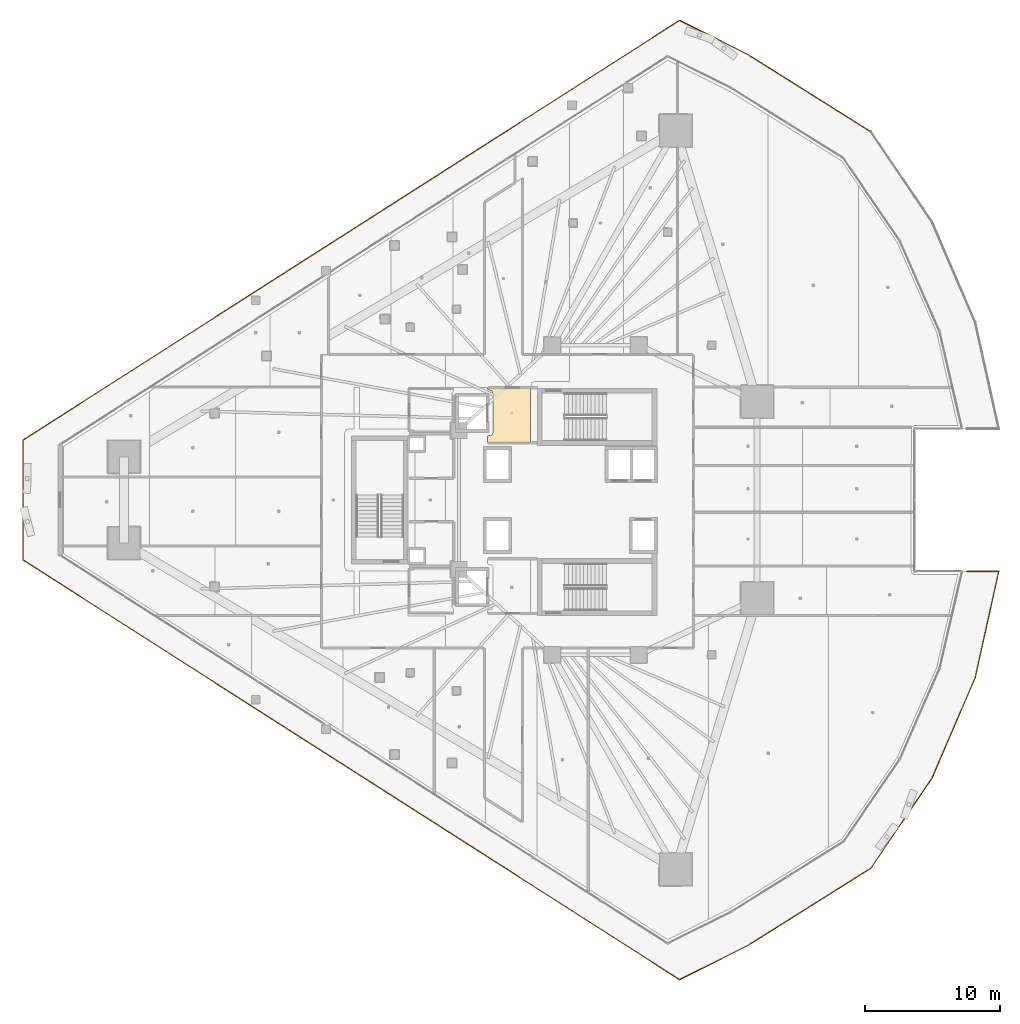
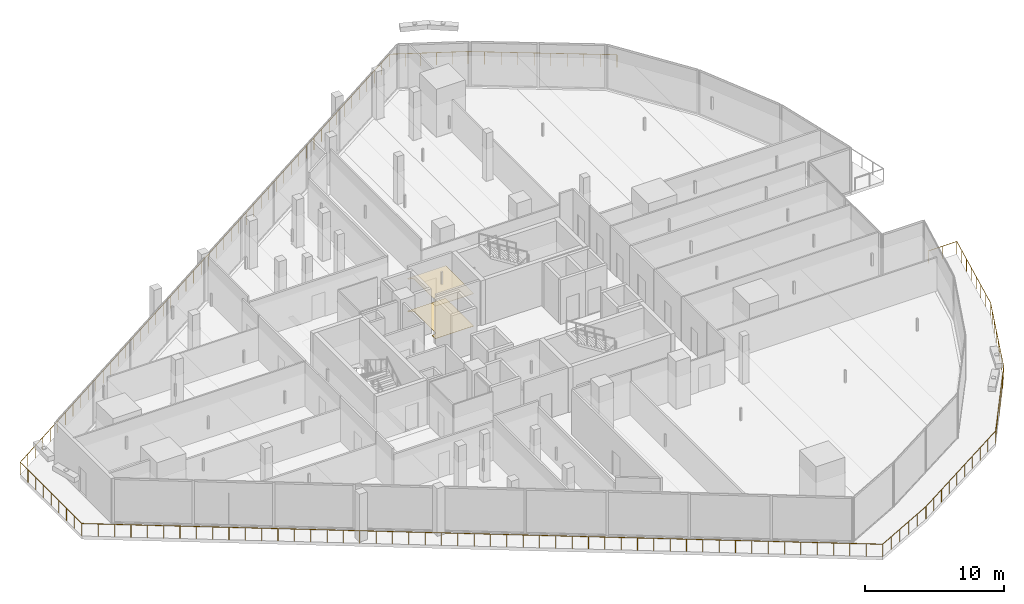
# One storey, part 42 of 44: 2 coverings, 1 railing.
"""IFC4 building model written with IfcOpenShell, lengths in metres."""

from ifc_helpers import new_model, si_unit, direction, frame, origin, origin_2d, place, context, subcontext, project, spatial, polyline, circle, outline, extrude, material, layer, layer_set, type_object, element, save


model = new_model("IFC4")

# Units and contexts
model_context = context("Model", 3, precision=1e-05, world=origin(), true_north=direction((0.0, 1.0)))
body_context = subcontext(model_context, "Body", "Model", "MODEL_VIEW")
ifc_project = project(units=[si_unit("LENGTHUNIT", "METRE"), si_unit("AREAUNIT", "SQUARE_METRE"), si_unit("VOLUMEUNIT", "CUBIC_METRE"), si_unit("PLANEANGLEUNIT", "RADIAN"), si_unit("MASSUNIT", "GRAM", prefix="KILO")], contexts=[model_context])

# Site, building, storey
site_placement = place(None, origin())
site = spatial("IfcSite", under=ifc_project, at=site_placement, CompositionType="ELEMENT")
building_placement = place(site_placement, origin())
building = spatial("IfcBuilding", under=site, at=building_placement, Name="Qorvath Tower", CompositionType="ELEMENT")
storey_placement = place(building_placement, frame((0.0, 0.0, 57.60009765625)))
storey = spatial("IfcBuildingStorey", under=building, at=storey_placement, Name="L12", CompositionType="ELEMENT", Elevation=57.60009765625)

# Coverings
ifc_material_1 = material(Name="Acoustic mineral fibre ceiling tile", Category="gypsum")
ifc_layer_1 = layer(ifc_material_1, 0.030029296875)
ifc_layer_set_1 = layer_set([ifc_layer_1], Name="COV-CEIL")
covering_type_1 = type_object("IfcCoveringType", Name="COV-CEIL", PredefinedType="CEILING", material=ifc_layer_set_1)
covering_1_placement = place(storey_placement, frame((0.0, 0.0, 2.849853515625)))
element("IfcCovering", 1, at=covering_1_placement, inside=storey, type_object=covering_type_1, Name="L12 Suspended Acoustic Ceiling 001", PredefinedType="CEILING", context=body_context, shape_type="SweptSolid", body=[
    extrude(outline(polyline([(-25.18994140625, 4.2548828125), (-25.18994140625, 8.294921875), (-28.375, 8.294921875), (-28.375, 8.159912109375), (-28.063232421875, 8.086669921875), (-27.989990234375, 7.909912109375), (-27.989990234375, 4.989990234375), (-28.063232421875, 4.813232421875), (-28.375, 4.739990234375), (-28.375, 4.2548828125), (-25.18994140625, 4.2548828125)])), origin(), (0.0, 0.0, 1.0), 0.030029296875),
])
ifc_material_2 = material(Name="Polished epoxy terrazzo flooring", Category="concrete")
ifc_layer_2 = layer(ifc_material_2, 0.02001953125)
ifc_layer_set_2 = layer_set([ifc_layer_2], Name="COV-FLOOR-TRZ")
covering_type_2 = type_object("IfcCoveringType", Name="COV-FLOOR-TRZ", PredefinedType="FLOORING", material=ifc_layer_set_2)
covering_2_placement = place(storey_placement, origin())
element("IfcCovering", 2, at=covering_2_placement, inside=storey, type_object=covering_type_2, Name="L12 Floor Finish 001", PredefinedType="FLOORING", context=body_context, shape_type="SweptSolid", body=[
    extrude(outline(polyline([(-25.18994140625, 4.2548828125), (-25.18994140625, 8.294921875), (-28.375, 8.294921875), (-28.375, 8.159912109375), (-28.063232421875, 8.086669921875), (-27.989990234375, 7.909912109375), (-27.989990234375, 4.989990234375), (-28.063232421875, 4.813232421875), (-28.375, 4.739990234375), (-28.375, 4.2548828125), (-25.18994140625, 4.2548828125)])), origin(), (0.0, 0.0, 1.0), 0.014892578125),
])

# Railing
ifc_material_3 = material(Name="Laminated safety glass and stainless steel AISI 316", Category="steel")
railing_type = type_object("IfcRailingType", Name="RL-EXT-GRD", PredefinedType="GUARDRAIL", material=ifc_material_3)
railing_placement = place(storey_placement, frame((7.082763671875, -5.2705078125, 0.0)))
element("IfcRailing", 3, at=railing_placement, inside=storey, type_object=railing_type, Name="Loggia Perimeter Guardrail L12-1.2", PredefinedType="GUARDRAIL", context=body_context, shape_type="SweptSolid", body=[
    extrude(circle(Radius=0.02392578125, at=origin_2d()), frame((0.0, 0.0, 1.09619140625), z_axis=(1.0, 0.0, 0.0), x_axis=(0.0, 1.0, 0.0)), (0.0, 0.0, 1.0), 2.3662109375),
    extrude(circle(Radius=0.02392578125, at=origin_2d()), frame((2.3662109375, 0.0, 1.09619140625), z_axis=(-0.216081573527, -0.976375313894, 0.0), x_axis=(0.976375313894, -0.216081573527, 0.0)), (0.0, 0.0, 1.0), 8.070556640625),
    extrude(circle(Radius=0.02392578125, at=origin_2d()), frame((0.622314453125, -7.8798828125, 1.09619140625), z_axis=(-0.395495920644, -0.918467733104, 0.0), x_axis=(0.918467733104, -0.395495920644, 0.0)), (0.0, 0.0, 1.0), 8.070556640625),
    extrude(circle(Radius=0.02392578125, at=origin_2d()), frame((-2.569580078125, -15.29248046875, 1.09619140625), z_axis=(-0.56080734348, -0.827946328876, 0.0), x_axis=(0.827946328876, -0.56080734348, 0.0)), (0.0, 0.0, 1.0), 8.07080078125),
    extrude(circle(Radius=0.02392578125, at=origin_2d()), frame((-7.095703125, -21.974609375, 1.09619140625), z_axis=(-0.846497130673, -0.53239328298, 0.0), x_axis=(0.53239328298, -0.846497130673, 0.0)), (0.0, 0.0, 1.0), 10.732421875),
    extrude(circle(Radius=0.02392578125, at=origin_2d()), frame((-16.1806640625, -27.6884765625, 1.09619140625), z_axis=(-0.894444416035, -0.44717914377, 0.0), x_axis=(0.44717914377, -0.894444416035, 0.0)), (0.0, 0.0, 1.0), 5.669189453125),
    extrude(circle(Radius=0.02392578125, at=origin_2d()), frame((-21.25146484375, -30.2236328125, 1.09619140625), z_axis=(-0.842604374981, 0.538533069794, 0.0), x_axis=(-0.538533069794, -0.842604374981, 0.0)), (0.0, 0.0, 1.0), 57.67041015625),
    extrude(circle(Radius=0.02392578125, at=origin_2d()), frame((-69.8447265625, 0.833740234375, 1.09619140625), z_axis=(0.0, 1.0, 0.0), x_axis=(-1.0, 0.0, 0.0)), (0.0, 0.0, 1.0), 8.87353515625),
    extrude(circle(Radius=0.02392578125, at=origin_2d()), frame((-69.8447265625, 9.707275390625, 1.09619140625), z_axis=(0.842604374981, 0.538533069794, 0.0), x_axis=(-0.538533069794, 0.842604374981, 0.0)), (0.0, 0.0, 1.0), 57.67041015625),
    extrude(circle(Radius=0.02392578125, at=origin_2d()), frame((-21.25146484375, 40.7646484375, 1.09619140625), z_axis=(0.894444416035, -0.44717914377, 0.0), x_axis=(0.44717914377, 0.894444416035, 0.0)), (0.0, 0.0, 1.0), 5.669189453125),
    extrude(circle(Radius=0.02392578125, at=origin_2d()), frame((-16.1806640625, 38.2294921875, 1.09619140625), z_axis=(0.846497130673, -0.53239328298, 0.0), x_axis=(0.53239328298, 0.846497130673, 0.0)), (0.0, 0.0, 1.0), 10.732421875),
    extrude(circle(Radius=0.02099609375, at=origin_2d()), origin(), (0.0, 0.0, 1.0), 1.072021484375),
    extrude(circle(Radius=0.02099609375, at=origin_2d()), frame((1.18310546875, 0.0, 0.0)), (0.0, 0.0, 1.0), 1.072021484375),
    extrude(circle(Radius=0.02099609375, at=origin_2d()), frame((2.3662109375, 0.0, 0.0)), (0.0, 0.0, 1.0), 1.072021484375),
    extrude(circle(Radius=0.02099609375, at=origin_2d()), frame((2.1171875, -1.125732421875, 0.0)), (0.0, 0.0, 1.0), 1.072021484375),
    extrude(circle(Radius=0.02099609375, at=origin_2d()), frame((1.867919921875, -2.25146484375, 0.0)), (0.0, 0.0, 1.0), 1.072021484375),
    extrude(circle(Radius=0.02099609375, at=origin_2d()), frame((1.618896484375, -3.377197265625, 0.0)), (0.0, 0.0, 1.0), 1.072021484375),
    extrude(circle(Radius=0.02099609375, at=origin_2d()), frame((1.36962890625, -4.502685546875, 0.0)), (0.0, 0.0, 1.0), 1.072021484375),
    extrude(circle(Radius=0.02099609375, at=origin_2d()), frame((1.12060546875, -5.62841796875, 0.0)), (0.0, 0.0, 1.0), 1.072021484375),
    extrude(circle(Radius=0.02099609375, at=origin_2d()), frame((0.871337890625, -6.754150390625, 0.0)), (0.0, 0.0, 1.0), 1.072021484375),
    extrude(circle(Radius=0.02099609375, at=origin_2d()), frame((0.622314453125, -7.8798828125, 0.0)), (0.0, 0.0, 1.0), 1.072021484375),
    extrude(circle(Radius=0.02099609375, at=origin_2d()), frame((0.166259765625, -8.938720703125, 0.0)), (0.0, 0.0, 1.0), 1.072021484375),
    extrude(circle(Radius=0.02099609375, at=origin_2d()), frame((-0.28955078125, -9.997802734375, 0.0)), (0.0, 0.0, 1.0), 1.072021484375),
    extrude(circle(Radius=0.02099609375, at=origin_2d()), frame((-0.74560546875, -11.056640625, 0.0)), (0.0, 0.0, 1.0), 1.072021484375),
    extrude(circle(Radius=0.02099609375, at=origin_2d()), frame((-1.20166015625, -12.11572265625, 0.0)), (0.0, 0.0, 1.0), 1.072021484375),
    extrude(circle(Radius=0.02099609375, at=origin_2d()), frame((-1.65771484375, -13.174560546875, 0.0)), (0.0, 0.0, 1.0), 1.072021484375),
    extrude(circle(Radius=0.02099609375, at=origin_2d()), frame((-2.113525390625, -14.233642578125, 0.0)), (0.0, 0.0, 1.0), 1.072021484375),
    extrude(circle(Radius=0.02099609375, at=origin_2d()), frame((-2.569580078125, -15.29248046875, 0.0)), (0.0, 0.0, 1.0), 1.072021484375),
    extrude(circle(Radius=0.02099609375, at=origin_2d()), frame((-3.216064453125, -16.2470703125, 0.0)), (0.0, 0.0, 1.0), 1.072021484375),
    extrude(circle(Radius=0.02099609375, at=origin_2d()), frame((-3.86279296875, -17.20166015625, 0.0)), (0.0, 0.0, 1.0), 1.072021484375),
    extrude(circle(Radius=0.02099609375, at=origin_2d()), frame((-4.50927734375, -18.15625, 0.0)), (0.0, 0.0, 1.0), 1.072021484375),
    extrude(circle(Radius=0.02099609375, at=origin_2d()), frame((-5.156005859375, -19.11083984375, 0.0)), (0.0, 0.0, 1.0), 1.072021484375),
    extrude(circle(Radius=0.02099609375, at=origin_2d()), frame((-5.802490234375, -20.0654296875, 0.0)), (0.0, 0.0, 1.0), 1.072021484375),
    extrude(circle(Radius=0.02099609375, at=origin_2d()), frame((-6.44921875, -21.02001953125, 0.0)), (0.0, 0.0, 1.0), 1.072021484375),
    extrude(circle(Radius=0.02099609375, at=origin_2d()), frame((-7.095703125, -21.974609375, 0.0)), (0.0, 0.0, 1.0), 1.072021484375),
    extrude(circle(Radius=0.02099609375, at=origin_2d()), frame((-8.105224609375, -22.609375, 0.0)), (0.0, 0.0, 1.0), 1.072021484375),
    extrude(circle(Radius=0.02099609375, at=origin_2d()), frame((-9.114501953125, -23.244384765625, 0.0)), (0.0, 0.0, 1.0), 1.072021484375),
    extrude(circle(Radius=0.02099609375, at=origin_2d()), frame((-10.1240234375, -23.879150390625, 0.0)), (0.0, 0.0, 1.0), 1.072021484375),
    extrude(circle(Radius=0.02099609375, at=origin_2d()), frame((-11.133544921875, -24.51416015625, 0.0)), (0.0, 0.0, 1.0), 1.072021484375),
    extrude(circle(Radius=0.02099609375, at=origin_2d()), frame((-12.142822265625, -25.14892578125, 0.0)), (0.0, 0.0, 1.0), 1.072021484375),
    extrude(circle(Radius=0.02099609375, at=origin_2d()), frame((-13.15234375, -25.783935546875, 0.0)), (0.0, 0.0, 1.0), 1.072021484375),
    extrude(circle(Radius=0.02099609375, at=origin_2d()), frame((-14.161865234375, -26.418701171875, 0.0)), (0.0, 0.0, 1.0), 1.072021484375),
    extrude(circle(Radius=0.02099609375, at=origin_2d()), frame((-15.171142578125, -27.0537109375, 0.0)), (0.0, 0.0, 1.0), 1.072021484375),
    extrude(circle(Radius=0.02099609375, at=origin_2d()), frame((-16.1806640625, -27.6884765625, 0.0)), (0.0, 0.0, 1.0), 1.072021484375),
    extrude(circle(Radius=0.02099609375, at=origin_2d()), frame((-17.19482421875, -28.195556640625, 0.0)), (0.0, 0.0, 1.0), 1.072021484375),
    extrude(circle(Radius=0.02099609375, at=origin_2d()), frame((-18.208984375, -28.70263671875, 0.0)), (0.0, 0.0, 1.0), 1.072021484375),
    extrude(circle(Radius=0.02099609375, at=origin_2d()), frame((-19.22314453125, -29.20947265625, 0.0)), (0.0, 0.0, 1.0), 1.072021484375),
    extrude(circle(Radius=0.02099609375, at=origin_2d()), frame((-20.2373046875, -29.716552734375, 0.0)), (0.0, 0.0, 1.0), 1.072021484375),
    extrude(circle(Radius=0.02099609375, at=origin_2d()), frame((-21.25146484375, -30.2236328125, 0.0)), (0.0, 0.0, 1.0), 1.072021484375),
    extrude(circle(Radius=0.02099609375, at=origin_2d()), frame((-22.2431640625, -29.58984375, 0.0)), (0.0, 0.0, 1.0), 1.072021484375),
    extrude(circle(Radius=0.02099609375, at=origin_2d()), frame((-23.23486328125, -28.9560546875, 0.0)), (0.0, 0.0, 1.0), 1.072021484375),
    extrude(circle(Radius=0.02099609375, at=origin_2d()), frame((-24.2265625, -28.322265625, 0.0)), (0.0, 0.0, 1.0), 1.072021484375),
    extrude(circle(Radius=0.02099609375, at=origin_2d()), frame((-25.21826171875, -27.688232421875, 0.0)), (0.0, 0.0, 1.0), 1.072021484375),
    extrude(circle(Radius=0.02099609375, at=origin_2d()), frame((-26.2099609375, -27.054443359375, 0.0)), (0.0, 0.0, 1.0), 1.072021484375),
    extrude(circle(Radius=0.02099609375, at=origin_2d()), frame((-27.20166015625, -26.420654296875, 0.0)), (0.0, 0.0, 1.0), 1.072021484375),
    extrude(circle(Radius=0.02099609375, at=origin_2d()), frame((-28.193359375, -25.786865234375, 0.0)), (0.0, 0.0, 1.0), 1.072021484375),
    extrude(circle(Radius=0.02099609375, at=origin_2d()), frame((-29.18505859375, -25.153076171875, 0.0)), (0.0, 0.0, 1.0), 1.072021484375),
    extrude(circle(Radius=0.02099609375, at=origin_2d()), frame((-30.1767578125, -24.519287109375, 0.0)), (0.0, 0.0, 1.0), 1.072021484375),
    extrude(circle(Radius=0.02099609375, at=origin_2d()), frame((-31.16845703125, -23.885498046875, 0.0)), (0.0, 0.0, 1.0), 1.072021484375),
    extrude(circle(Radius=0.02099609375, at=origin_2d()), frame((-32.16015625, -23.25146484375, 0.0)), (0.0, 0.0, 1.0), 1.072021484375),
    extrude(circle(Radius=0.02099609375, at=origin_2d()), frame((-33.15185546875, -22.61767578125, 0.0)), (0.0, 0.0, 1.0), 1.072021484375),
    extrude(circle(Radius=0.02099609375, at=origin_2d()), frame((-34.1435546875, -21.98388671875, 0.0)), (0.0, 0.0, 1.0), 1.072021484375),
    extrude(circle(Radius=0.02099609375, at=origin_2d()), frame((-35.13525390625, -21.35009765625, 0.0)), (0.0, 0.0, 1.0), 1.072021484375),
    extrude(circle(Radius=0.02099609375, at=origin_2d()), frame((-36.126953125, -20.71630859375, 0.0)), (0.0, 0.0, 1.0), 1.072021484375),
    extrude(circle(Radius=0.02099609375, at=origin_2d()), frame((-37.11865234375, -20.08251953125, 0.0)), (0.0, 0.0, 1.0), 1.072021484375),
    extrude(circle(Radius=0.02099609375, at=origin_2d()), frame((-38.1103515625, -19.44873046875, 0.0)), (0.0, 0.0, 1.0), 1.072021484375),
    extrude(circle(Radius=0.02099609375, at=origin_2d()), frame((-39.10205078125, -18.814697265625, 0.0)), (0.0, 0.0, 1.0), 1.072021484375),
    extrude(circle(Radius=0.02099609375, at=origin_2d()), frame((-40.09375, -18.180908203125, 0.0)), (0.0, 0.0, 1.0), 1.072021484375),
    extrude(circle(Radius=0.02099609375, at=origin_2d()), frame((-41.08544921875, -17.547119140625, 0.0)), (0.0, 0.0, 1.0), 1.072021484375),
    extrude(circle(Radius=0.02099609375, at=origin_2d()), frame((-42.0771484375, -16.913330078125, 0.0)), (0.0, 0.0, 1.0), 1.072021484375),
    extrude(circle(Radius=0.02099609375, at=origin_2d()), frame((-43.06884765625, -16.279541015625, 0.0)), (0.0, 0.0, 1.0), 1.072021484375),
    extrude(circle(Radius=0.02099609375, at=origin_2d()), frame((-44.060546875, -15.645751953125, 0.0)), (0.0, 0.0, 1.0), 1.072021484375),
    extrude(circle(Radius=0.02099609375, at=origin_2d()), frame((-45.05224609375, -15.011962890625, 0.0)), (0.0, 0.0, 1.0), 1.072021484375),
    extrude(circle(Radius=0.02099609375, at=origin_2d()), frame((-46.0439453125, -14.3779296875, 0.0)), (0.0, 0.0, 1.0), 1.072021484375),
    extrude(circle(Radius=0.02099609375, at=origin_2d()), frame((-47.03564453125, -13.744140625, 0.0)), (0.0, 0.0, 1.0), 1.072021484375),
    extrude(circle(Radius=0.02099609375, at=origin_2d()), frame((-48.02734375, -13.1103515625, 0.0)), (0.0, 0.0, 1.0), 1.072021484375),
    extrude(circle(Radius=0.02099609375, at=origin_2d()), frame((-49.01904296875, -12.4765625, 0.0)), (0.0, 0.0, 1.0), 1.072021484375),
    extrude(circle(Radius=0.02099609375, at=origin_2d()), frame((-50.0107421875, -11.8427734375, 0.0)), (0.0, 0.0, 1.0), 1.072021484375),
    extrude(circle(Radius=0.02099609375, at=origin_2d()), frame((-51.00244140625, -11.208984375, 0.0)), (0.0, 0.0, 1.0), 1.072021484375),
    extrude(circle(Radius=0.02099609375, at=origin_2d()), frame((-51.994140625, -10.5751953125, 0.0)), (0.0, 0.0, 1.0), 1.072021484375),
    extrude(circle(Radius=0.02099609375, at=origin_2d()), frame((-52.98583984375, -9.941162109375, 0.0)), (0.0, 0.0, 1.0), 1.072021484375),
    extrude(circle(Radius=0.02099609375, at=origin_2d()), frame((-53.9775390625, -9.307373046875, 0.0)), (0.0, 0.0, 1.0), 1.072021484375),
    extrude(circle(Radius=0.02099609375, at=origin_2d()), frame((-54.96923828125, -8.673583984375, 0.0)), (0.0, 0.0, 1.0), 1.072021484375),
    extrude(circle(Radius=0.02099609375, at=origin_2d()), frame((-55.9609375, -8.039794921875, 0.0)), (0.0, 0.0, 1.0), 1.072021484375),
    extrude(circle(Radius=0.02099609375, at=origin_2d()), frame((-56.95263671875, -7.406005859375, 0.0)), (0.0, 0.0, 1.0), 1.072021484375),
    extrude(circle(Radius=0.02099609375, at=origin_2d()), frame((-57.9443359375, -6.772216796875, 0.0)), (0.0, 0.0, 1.0), 1.072021484375),
    extrude(circle(Radius=0.02099609375, at=origin_2d()), frame((-58.93603515625, -6.138427734375, 0.0)), (0.0, 0.0, 1.0), 1.072021484375),
    extrude(circle(Radius=0.02099609375, at=origin_2d()), frame((-59.927734375, -5.50439453125, 0.0)), (0.0, 0.0, 1.0), 1.072021484375),
    extrude(circle(Radius=0.02099609375, at=origin_2d()), frame((-60.91943359375, -4.87060546875, 0.0)), (0.0, 0.0, 1.0), 1.072021484375),
    extrude(circle(Radius=0.02099609375, at=origin_2d()), frame((-61.9111328125, -4.23681640625, 0.0)), (0.0, 0.0, 1.0), 1.072021484375),
    extrude(circle(Radius=0.02099609375, at=origin_2d()), frame((-62.90283203125, -3.60302734375, 0.0)), (0.0, 0.0, 1.0), 1.072021484375),
    extrude(circle(Radius=0.02099609375, at=origin_2d()), frame((-63.89453125, -2.96923828125, 0.0)), (0.0, 0.0, 1.0), 1.072021484375),
    extrude(circle(Radius=0.02099609375, at=origin_2d()), frame((-64.88623046875, -2.33544921875, 0.0)), (0.0, 0.0, 1.0), 1.072021484375),
    extrude(circle(Radius=0.02099609375, at=origin_2d()), frame((-65.8779296875, -1.70166015625, 0.0)), (0.0, 0.0, 1.0), 1.072021484375),
    extrude(circle(Radius=0.02099609375, at=origin_2d()), frame((-66.86962890625, -1.067626953125, 0.0)), (0.0, 0.0, 1.0), 1.072021484375),
    extrude(circle(Radius=0.02099609375, at=origin_2d()), frame((-67.861328125, -0.433837890625, 0.0)), (0.0, 0.0, 1.0), 1.072021484375),
    extrude(circle(Radius=0.02099609375, at=origin_2d()), frame((-68.85302734375, 0.199951171875, 0.0)), (0.0, 0.0, 1.0), 1.072021484375),
    extrude(circle(Radius=0.02099609375, at=origin_2d()), frame((-69.8447265625, 0.833740234375, 0.0)), (0.0, 0.0, 1.0), 1.072021484375),
    extrude(circle(Radius=0.02099609375, at=origin_2d()), frame((-69.8447265625, 1.94287109375, 0.0)), (0.0, 0.0, 1.0), 1.072021484375),
    extrude(circle(Radius=0.02099609375, at=origin_2d()), frame((-69.8447265625, 3.05224609375, 0.0)), (0.0, 0.0, 1.0), 1.072021484375),
    extrude(circle(Radius=0.02099609375, at=origin_2d()), frame((-69.8447265625, 4.161376953125, 0.0)), (0.0, 0.0, 1.0), 1.072021484375),
    extrude(circle(Radius=0.02099609375, at=origin_2d()), frame((-69.8447265625, 5.2705078125, 0.0)), (0.0, 0.0, 1.0), 1.072021484375),
    extrude(circle(Radius=0.02099609375, at=origin_2d()), frame((-69.8447265625, 6.379638671875, 0.0)), (0.0, 0.0, 1.0), 1.072021484375),
    extrude(circle(Radius=0.02099609375, at=origin_2d()), frame((-69.8447265625, 7.48876953125, 0.0)), (0.0, 0.0, 1.0), 1.072021484375),
    extrude(circle(Radius=0.02099609375, at=origin_2d()), frame((-69.8447265625, 8.59814453125, 0.0)), (0.0, 0.0, 1.0), 1.072021484375),
    extrude(circle(Radius=0.02099609375, at=origin_2d()), frame((-69.8447265625, 9.707275390625, 0.0)), (0.0, 0.0, 1.0), 1.072021484375),
    extrude(circle(Radius=0.02099609375, at=origin_2d()), frame((-68.85302734375, 10.341064453125, 0.0)), (0.0, 0.0, 1.0), 1.072021484375),
    extrude(circle(Radius=0.02099609375, at=origin_2d()), frame((-67.861328125, 10.974853515625, 0.0)), (0.0, 0.0, 1.0), 1.072021484375),
    extrude(circle(Radius=0.02099609375, at=origin_2d()), frame((-66.86962890625, 11.608642578125, 0.0)), (0.0, 0.0, 1.0), 1.072021484375),
    extrude(circle(Radius=0.02099609375, at=origin_2d()), frame((-65.8779296875, 12.24267578125, 0.0)), (0.0, 0.0, 1.0), 1.072021484375),
    extrude(circle(Radius=0.02099609375, at=origin_2d()), frame((-64.88623046875, 12.87646484375, 0.0)), (0.0, 0.0, 1.0), 1.072021484375),
    extrude(circle(Radius=0.02099609375, at=origin_2d()), frame((-63.89453125, 13.51025390625, 0.0)), (0.0, 0.0, 1.0), 1.072021484375),
    extrude(circle(Radius=0.02099609375, at=origin_2d()), frame((-62.90283203125, 14.14404296875, 0.0)), (0.0, 0.0, 1.0), 1.072021484375),
    extrude(circle(Radius=0.02099609375, at=origin_2d()), frame((-61.9111328125, 14.77783203125, 0.0)), (0.0, 0.0, 1.0), 1.072021484375),
    extrude(circle(Radius=0.02099609375, at=origin_2d()), frame((-60.91943359375, 15.41162109375, 0.0)), (0.0, 0.0, 1.0), 1.072021484375),
    extrude(circle(Radius=0.02099609375, at=origin_2d()), frame((-59.927734375, 16.04541015625, 0.0)), (0.0, 0.0, 1.0), 1.072021484375),
    extrude(circle(Radius=0.02099609375, at=origin_2d()), frame((-58.93603515625, 16.679443359375, 0.0)), (0.0, 0.0, 1.0), 1.072021484375),
    extrude(circle(Radius=0.02099609375, at=origin_2d()), frame((-57.9443359375, 17.313232421875, 0.0)), (0.0, 0.0, 1.0), 1.072021484375),
    extrude(circle(Radius=0.02099609375, at=origin_2d()), frame((-56.95263671875, 17.947021484375, 0.0)), (0.0, 0.0, 1.0), 1.072021484375),
    extrude(circle(Radius=0.02099609375, at=origin_2d()), frame((-55.9609375, 18.580810546875, 0.0)), (0.0, 0.0, 1.0), 1.072021484375),
    extrude(circle(Radius=0.02099609375, at=origin_2d()), frame((-54.96923828125, 19.214599609375, 0.0)), (0.0, 0.0, 1.0), 1.072021484375),
    extrude(circle(Radius=0.02099609375, at=origin_2d()), frame((-53.9775390625, 19.848388671875, 0.0)), (0.0, 0.0, 1.0), 1.072021484375),
    extrude(circle(Radius=0.02099609375, at=origin_2d()), frame((-52.98583984375, 20.482177734375, 0.0)), (0.0, 0.0, 1.0), 1.072021484375),
    extrude(circle(Radius=0.02099609375, at=origin_2d()), frame((-51.994140625, 21.1162109375, 0.0)), (0.0, 0.0, 1.0), 1.072021484375),
    extrude(circle(Radius=0.02099609375, at=origin_2d()), frame((-51.00244140625, 21.75, 0.0)), (0.0, 0.0, 1.0), 1.072021484375),
    extrude(circle(Radius=0.02099609375, at=origin_2d()), frame((-50.0107421875, 22.3837890625, 0.0)), (0.0, 0.0, 1.0), 1.072021484375),
    extrude(circle(Radius=0.02099609375, at=origin_2d()), frame((-49.01904296875, 23.017578125, 0.0)), (0.0, 0.0, 1.0), 1.072021484375),
    extrude(circle(Radius=0.02099609375, at=origin_2d()), frame((-48.02734375, 23.6513671875, 0.0)), (0.0, 0.0, 1.0), 1.072021484375),
    extrude(circle(Radius=0.02099609375, at=origin_2d()), frame((-47.03564453125, 24.28515625, 0.0)), (0.0, 0.0, 1.0), 1.072021484375),
    extrude(circle(Radius=0.02099609375, at=origin_2d()), frame((-46.0439453125, 24.9189453125, 0.0)), (0.0, 0.0, 1.0), 1.072021484375),
    extrude(circle(Radius=0.02099609375, at=origin_2d()), frame((-45.05224609375, 25.552978515625, 0.0)), (0.0, 0.0, 1.0), 1.072021484375),
    extrude(circle(Radius=0.02099609375, at=origin_2d()), frame((-44.060546875, 26.186767578125, 0.0)), (0.0, 0.0, 1.0), 1.072021484375),
    extrude(circle(Radius=0.02099609375, at=origin_2d()), frame((-43.06884765625, 26.820556640625, 0.0)), (0.0, 0.0, 1.0), 1.072021484375),
    extrude(circle(Radius=0.02099609375, at=origin_2d()), frame((-42.0771484375, 27.454345703125, 0.0)), (0.0, 0.0, 1.0), 1.072021484375),
    extrude(circle(Radius=0.02099609375, at=origin_2d()), frame((-41.08544921875, 28.088134765625, 0.0)), (0.0, 0.0, 1.0), 1.072021484375),
    extrude(circle(Radius=0.02099609375, at=origin_2d()), frame((-40.09375, 28.721923828125, 0.0)), (0.0, 0.0, 1.0), 1.072021484375),
    extrude(circle(Radius=0.02099609375, at=origin_2d()), frame((-39.10205078125, 29.355712890625, 0.0)), (0.0, 0.0, 1.0), 1.072021484375),
    extrude(circle(Radius=0.02099609375, at=origin_2d()), frame((-38.1103515625, 29.98974609375, 0.0)), (0.0, 0.0, 1.0), 1.072021484375),
    extrude(circle(Radius=0.02099609375, at=origin_2d()), frame((-37.11865234375, 30.62353515625, 0.0)), (0.0, 0.0, 1.0), 1.072021484375),
    extrude(circle(Radius=0.02099609375, at=origin_2d()), frame((-36.126953125, 31.25732421875, 0.0)), (0.0, 0.0, 1.0), 1.072021484375),
    extrude(circle(Radius=0.02099609375, at=origin_2d()), frame((-35.13525390625, 31.89111328125, 0.0)), (0.0, 0.0, 1.0), 1.072021484375),
    extrude(circle(Radius=0.02099609375, at=origin_2d()), frame((-34.1435546875, 32.52490234375, 0.0)), (0.0, 0.0, 1.0), 1.072021484375),
    extrude(circle(Radius=0.02099609375, at=origin_2d()), frame((-33.15185546875, 33.15869140625, 0.0)), (0.0, 0.0, 1.0), 1.072021484375),
    extrude(circle(Radius=0.02099609375, at=origin_2d()), frame((-32.16015625, 33.79248046875, 0.0)), (0.0, 0.0, 1.0), 1.072021484375),
    extrude(circle(Radius=0.02099609375, at=origin_2d()), frame((-31.16845703125, 34.426513671875, 0.0)), (0.0, 0.0, 1.0), 1.072021484375),
    extrude(circle(Radius=0.02099609375, at=origin_2d()), frame((-30.1767578125, 35.060302734375, 0.0)), (0.0, 0.0, 1.0), 1.072021484375),
    extrude(circle(Radius=0.02099609375, at=origin_2d()), frame((-29.18505859375, 35.694091796875, 0.0)), (0.0, 0.0, 1.0), 1.072021484375),
    extrude(circle(Radius=0.02099609375, at=origin_2d()), frame((-28.193359375, 36.327880859375, 0.0)), (0.0, 0.0, 1.0), 1.072021484375),
    extrude(circle(Radius=0.02099609375, at=origin_2d()), frame((-27.20166015625, 36.961669921875, 0.0)), (0.0, 0.0, 1.0), 1.072021484375),
    extrude(circle(Radius=0.02099609375, at=origin_2d()), frame((-26.2099609375, 37.595458984375, 0.0)), (0.0, 0.0, 1.0), 1.072021484375),
    extrude(circle(Radius=0.02099609375, at=origin_2d()), frame((-25.21826171875, 38.229248046875, 0.0)), (0.0, 0.0, 1.0), 1.072021484375),
    extrude(circle(Radius=0.02099609375, at=origin_2d()), frame((-24.2265625, 38.86328125, 0.0)), (0.0, 0.0, 1.0), 1.072021484375),
    extrude(circle(Radius=0.02099609375, at=origin_2d()), frame((-23.23486328125, 39.4970703125, 0.0)), (0.0, 0.0, 1.0), 1.072021484375),
    extrude(circle(Radius=0.02099609375, at=origin_2d()), frame((-22.2431640625, 40.130859375, 0.0)), (0.0, 0.0, 1.0), 1.072021484375),
    extrude(circle(Radius=0.02099609375, at=origin_2d()), frame((-21.25146484375, 40.7646484375, 0.0)), (0.0, 0.0, 1.0), 1.072021484375),
    extrude(circle(Radius=0.02099609375, at=origin_2d()), frame((-20.2373046875, 40.257568359375, 0.0)), (0.0, 0.0, 1.0), 1.072021484375),
    extrude(circle(Radius=0.02099609375, at=origin_2d()), frame((-19.22314453125, 39.75048828125, 0.0)), (0.0, 0.0, 1.0), 1.072021484375),
    extrude(circle(Radius=0.02099609375, at=origin_2d()), frame((-18.208984375, 39.24365234375, 0.0)), (0.0, 0.0, 1.0), 1.072021484375),
    extrude(circle(Radius=0.02099609375, at=origin_2d()), frame((-17.19482421875, 38.736572265625, 0.0)), (0.0, 0.0, 1.0), 1.072021484375),
    extrude(circle(Radius=0.02099609375, at=origin_2d()), frame((-16.1806640625, 38.2294921875, 0.0)), (0.0, 0.0, 1.0), 1.072021484375),
    extrude(circle(Radius=0.02099609375, at=origin_2d()), frame((-15.171142578125, 37.5947265625, 0.0)), (0.0, 0.0, 1.0), 1.072021484375),
    extrude(circle(Radius=0.02099609375, at=origin_2d()), frame((-14.161865234375, 36.959716796875, 0.0)), (0.0, 0.0, 1.0), 1.072021484375),
    extrude(circle(Radius=0.02099609375, at=origin_2d()), frame((-13.15234375, 36.324951171875, 0.0)), (0.0, 0.0, 1.0), 1.072021484375),
    extrude(circle(Radius=0.02099609375, at=origin_2d()), frame((-12.142822265625, 35.68994140625, 0.0)), (0.0, 0.0, 1.0), 1.072021484375),
    extrude(circle(Radius=0.02099609375, at=origin_2d()), frame((-11.133544921875, 35.05517578125, 0.0)), (0.0, 0.0, 1.0), 1.072021484375),
    extrude(circle(Radius=0.02099609375, at=origin_2d()), frame((-10.1240234375, 34.420166015625, 0.0)), (0.0, 0.0, 1.0), 1.072021484375),
    extrude(circle(Radius=0.02099609375, at=origin_2d()), frame((-9.114501953125, 33.785400390625, 0.0)), (0.0, 0.0, 1.0), 1.072021484375),
    extrude(circle(Radius=0.02099609375, at=origin_2d()), frame((-8.105224609375, 33.150390625, 0.0)), (0.0, 0.0, 1.0), 1.072021484375),
    extrude(circle(Radius=0.02099609375, at=origin_2d()), frame((-7.095703125, 32.515625, 0.0)), (0.0, 0.0, 1.0), 1.072021484375),
])

save(model, "model.ifc")
